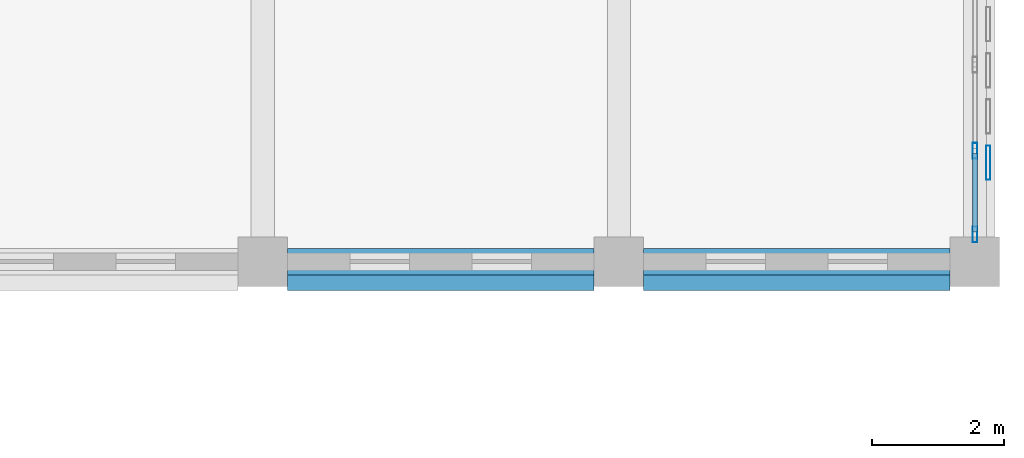
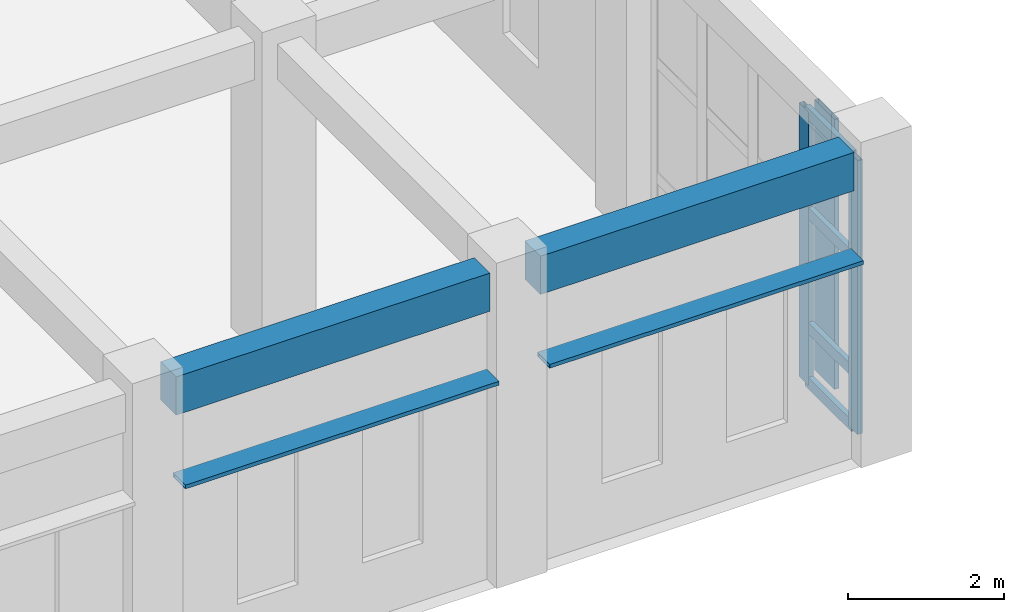
# One storey, part 38 of 77: 9 members, 2 beams, 1 element without a shape of its own.
"""IFC4 building model written with IfcOpenShell, lengths in metres."""

import ifcopenshell
import ifcopenshell.guid

model = None  # the IFC model being written
_history = None  # IfcOwnerHistory: only IFC2X3 demands one
_inside = {}  # id of a spatial element -> (the spatial element, [elements in it])
_under = {}  # id of a project, library or spatial element -> (it, [spatial elements below it])
_declared = {}  # id of a project -> (the project, [libraries it declares])
_typed = {}  # id of a type object -> (the type object, [elements of that type])
_made_of = {}  # id of a material, layer set ... -> (it, [elements and type objects made of it])


def new_model(schema):
    """Start an empty IFC model of exactly this schema.

    Asked for "IFC4X3", IfcOpenShell would pick the latest addendum, in which some entities
    have other attributes; the version numbers below select the first issue.
    IFC2X3 requires an IfcOwnerHistory on every rooted entity: one is made here for all.
    """
    global model, _history
    if schema == "IFC4X3":
        model = ifcopenshell.file(schema_version=(4, 3, 0, 0))
    else:
        model = ifcopenshell.file(schema=schema)
    _inside.clear()
    _under.clear()
    _declared.clear()
    _typed.clear()
    _made_of.clear()
    _history = None
    if model.schema == "IFC2X3":
        org = make("IfcOrganization", Name="unknown")
        user = make(
            "IfcPersonAndOrganization",
            ThePerson=make("IfcPerson", FamilyName="unknown"),
            TheOrganization=org,
        )
        app = make(
            "IfcApplication",
            ApplicationDeveloper=org,
            Version="unknown",
            ApplicationFullName="unknown",
            ApplicationIdentifier="unknown",
        )
        _history = make(
            "IfcOwnerHistory",
            OwningUser=user,
            OwningApplication=app,
            ChangeAction="ADDED",
            CreationDate=0,
        )
    return model


def make(cls, **values):
    """One entity of the class cls with the attributes given. An attribute that is None is left unset."""
    return model.create_entity(
        cls, **{name: value for name, value in values.items() if value is not None}
    )


def rooted(cls, **values):
    """An entity with a GlobalId (a new one), such as an element, a storey or a relation."""
    return make(cls, GlobalId=ifcopenshell.guid.new(), OwnerHistory=_history, **values)


def si_unit(unit_type, name, prefix=None):
    """IfcSIUnit, for example si_unit("LENGTHUNIT", "METRE", prefix="MILLI")."""
    return make("IfcSIUnit", UnitType=unit_type, Prefix=prefix, Name=name)


def assignment(units):
    """IfcUnitAssignment: the units of a project."""
    return None if units is None else make("IfcUnitAssignment", Units=units)


def point(xyz):
    """IfcCartesianPoint."""
    return None if xyz is None else make("IfcCartesianPoint", Coordinates=xyz)


def direction(xyz):
    """IfcDirection."""
    return None if xyz is None else make("IfcDirection", DirectionRatios=xyz)


def frame(location, z_axis=None, x_axis=None):
    """IfcAxis2Placement3D, a coordinate frame: its origin and axes. An axis left out is left unset."""
    return make(
        "IfcAxis2Placement3D",
        Location=point(location),
        Axis=direction(z_axis),
        RefDirection=direction(x_axis),
    )


def frame_2d(location, x_axis=None):
    """IfcAxis2Placement2D, a coordinate frame in the plane: its origin and x axis."""
    return make(
        "IfcAxis2Placement2D", Location=point(location), RefDirection=direction(x_axis)
    )


def origin():
    """The frame at (0, 0, 0) with its axes left unset."""
    return frame((0.0, 0.0, 0.0))


def origin_2d():
    """The frame at (0, 0) in the plane with its x axis left unset."""
    return frame_2d((0.0, 0.0))


def place(relative_to, where):
    """IfcLocalPlacement: puts the frame where relative to a parent placement (None: the world)."""
    return make(
        "IfcLocalPlacement", PlacementRelTo=relative_to, RelativePlacement=where
    )


def context(
    kind, dimensions, precision=None, world=None, true_north=None, identifier=None
):
    """IfcGeometricRepresentationContext, for example the 3D "Model" context."""
    return make(
        "IfcGeometricRepresentationContext",
        ContextIdentifier=identifier,
        ContextType=kind,
        CoordinateSpaceDimension=dimensions,
        Precision=precision,
        WorldCoordinateSystem=world,
        TrueNorth=true_north,
    )


def subcontext(parent, identifier, kind, view, scale=None):
    """IfcGeometricRepresentationSubContext, for example "Body" below "Model"."""
    return make(
        "IfcGeometricRepresentationSubContext",
        ContextIdentifier=identifier,
        ContextType=kind,
        ParentContext=parent,
        TargetScale=scale,
        TargetView=view,
    )


def project(units=None, contexts=None):
    """IfcProject with its units and contexts."""
    return rooted(
        "IfcProject",
        Name="project",
        RepresentationContexts=contexts,
        UnitsInContext=assignment(units),
    )


def spatial(cls, under=None, at=None, **own):
    """A site, building, storey or space (cls), placed at a placement, below another one or the project."""
    s = rooted(cls, ObjectPlacement=at, **own)
    if under is not None:
        _under.setdefault(under.id(), (under, []))[1].append(s)
    return s


def profile(cls, at=None, kind="AREA", **sizes):
    """A parametric profile (cls). Its sizes go by their IFC names, for example OverallWidth=200.0."""
    return make(cls, ProfileType=kind, Position=at, **sizes)


def rectangle(**sizes):
    """IfcRectangleProfileDef."""
    return profile("IfcRectangleProfileDef", **sizes)


def hollow_rectangle(**sizes):
    """IfcRectangleHollowProfileDef."""
    return profile("IfcRectangleHollowProfileDef", **sizes)


def extrude(swept, where, along, depth):
    """IfcExtrudedAreaSolid: the profile swept, set in the frame where, extruded along a direction by depth."""
    return make(
        "IfcExtrudedAreaSolid",
        SweptArea=swept,
        Position=where,
        ExtrudedDirection=direction(along),
        Depth=depth,
    )


def shape(context_of_items, identifier, shape_type, items):
    """IfcShapeRepresentation: the items that make up one representation, for example the "Body"."""
    return make(
        "IfcShapeRepresentation",
        ContextOfItems=context_of_items,
        RepresentationIdentifier=identifier,
        RepresentationType=shape_type,
        Items=items,
    )


def material(Name=None, Category=None):
    """IfcMaterial."""
    return make("IfcMaterial", Name=Name, Category=Category)


def layer(
    of_material, thickness, ventilated=None, Name=None, Category=None, Priority=None
):
    """IfcMaterialLayer: one layer of a wall or slab, of a material (None: an air gap)."""
    return make(
        "IfcMaterialLayer",
        Material=of_material,
        LayerThickness=thickness,
        IsVentilated=ventilated,
        Name=Name,
        Category=Category,
        Priority=Priority,
    )


def layer_set(layers, Name=None):
    """IfcMaterialLayerSet."""
    return make("IfcMaterialLayerSet", MaterialLayers=layers, LayerSetName=Name)


def material_profile(
    of_material, cross_section, Name=None, Category=None, Priority=None
):
    """IfcMaterialProfile: a cross section and its material."""
    return make(
        "IfcMaterialProfile",
        Name=Name,
        Material=of_material,
        Profile=cross_section,
        Priority=Priority,
        Category=Category,
    )


def profile_set(profiles, Name=None, composite=None):
    """IfcMaterialProfileSet."""
    return make(
        "IfcMaterialProfileSet",
        Name=Name,
        MaterialProfiles=profiles,
        CompositeProfile=composite,
    )


def made_of(thing, what):
    """Note that an element or type object is made of a material, layer set ...; save() writes the relation."""
    if what is not None:
        _made_of.setdefault(what.id(), (what, []))[1].append(thing)
    return thing


def type_object(cls, material=None, **own):
    """A type object (cls), such as IfcWallType, which elements share."""
    return made_of(rooted(cls, **own), material)


def element(
    cls,
    number,
    at=None,
    inside=None,
    cuts=None,
    type_object=None,
    material=None,
    context=None,
    identifier="Body",
    shape_type=None,
    held_by="IfcProductDefinitionShape",
    body=None,
    shapes=None,
    **own,
):
    """One element of the class cls, such as IfcWall. Its Tag is "e" and its number.

    at: its placement. inside: the storey or other place that contains it. cuts: it is an
    opening in that element (IfcRelVoidsElement). A single representation is given by context,
    identifier, shape_type and body (its items); several are given by shapes. held_by: the class
    of the entity that holds the representations. save() writes the other relations.
    """
    e = rooted(cls, Tag="e%d" % number, ObjectPlacement=at, **own)
    if body is not None:
        shapes = [shape(context, identifier, shape_type, body)]
    if shapes is not None:
        e.Representation = make(held_by, Representations=shapes)
    if inside is not None:
        _inside.setdefault(inside.id(), (inside, []))[1].append(e)
    if cuts is not None:
        rooted(
            "IfcRelVoidsElement", RelatingBuildingElement=cuts, RelatedOpeningElement=e
        )
    if type_object is not None:
        _typed.setdefault(type_object.id(), (type_object, []))[1].append(e)
    return made_of(e, material)


def aggregate(whole, parts):
    """IfcRelAggregates: a whole, such as a stair, and the parts it consists of."""
    return rooted("IfcRelAggregates", RelatingObject=whole, RelatedObjects=parts)


def save(model, path):
    """Write the relations noted so far, then the file.

    IfcRelAggregates (storeys below a building ...), IfcRelContainedInSpatialStructure (elements
    in a storey), IfcRelDefinesByType, IfcRelAssociatesMaterial and IfcRelDeclares: one each for
    every whole, place, type object, material and project.
    """
    for whole, parts in _under.values():
        aggregate(whole, parts)
    for where, things in _inside.values():
        rooted(
            "IfcRelContainedInSpatialStructure",
            RelatedElements=things,
            RelatingStructure=where,
        )
    for kind, things in _typed.values():
        rooted("IfcRelDefinesByType", RelatedObjects=things, RelatingType=kind)
    for what, things in _made_of.values():
        rooted("IfcRelAssociatesMaterial", RelatedObjects=things, RelatingMaterial=what)
    for by, libraries in _declared.values():
        rooted("IfcRelDeclares", RelatingContext=by, RelatedDefinitions=libraries)
    model.write(path)


model = new_model("IFC4")

# Units and contexts
model_context = context("Model", 3, precision=1e-05, world=origin(), true_north=direction((0.0, 1.0)))
body_context = subcontext(model_context, "Body", "Model", "MODEL_VIEW")
ifc_project = project(units=[si_unit("LENGTHUNIT", "METRE"), si_unit("AREAUNIT", "SQUARE_METRE"), si_unit("VOLUMEUNIT", "CUBIC_METRE"), si_unit("PLANEANGLEUNIT", "RADIAN"), si_unit("MASSUNIT", "GRAM", prefix="KILO")], contexts=[model_context])

# Site, building, storey
site_placement = place(None, origin())
site = spatial("IfcSite", under=ifc_project, at=site_placement, CompositionType="ELEMENT")
building_placement = place(site_placement, origin())
building = spatial("IfcBuilding", under=site, at=building_placement, Name="Krzemoval Escarpment Law Courts", CompositionType="ELEMENT")
storey_placement = place(building_placement, frame((0.0, 0.0, 15.300048828125)))
storey = spatial("IfcBuildingStorey", under=building, at=storey_placement, Name="L03", CompositionType="ELEMENT", Elevation=15.300048828125)

# Beams
ifc_material_1 = material(Name="Concrete C40/50", Category="concrete")
ifc_material_profile_1 = material_profile(ifc_material_1, rectangle(XDim=0.39990234375, YDim=0.60009765625, at=origin_2d()), Name="RCB 400x600")
ifc_profile_set_1 = profile_set([ifc_material_profile_1], Name="Concrete C40/50")
beam_type = type_object("IfcBeamType", Name="BM-RC-400x600", PredefinedType="BEAM", material=ifc_profile_set_1)
beam_1_placement = place(storey_placement, frame((162.375, 93.60009765625, 4.5400390625), z_axis=(1.0, 0.0, 0.0), x_axis=(0.0, 1.0, 0.0)))
element("IfcBeam", 1, at=beam_1_placement, inside=storey, type_object=beam_type, Name="Beam FG-L03-2187", PredefinedType="BEAM", context=body_context, shape_type="SweptSolid", body=[
    extrude(rectangle(XDim=0.39990234375, YDim=0.60009765625, at=origin_2d()), origin(), (0.0, 0.0, 1.0), 4.64990234375),
])
beam_2_placement = place(storey_placement, frame((167.77490234375, 93.60009765625, 4.5400390625), z_axis=(1.0, 0.0, 0.0), x_axis=(0.0, 1.0, 0.0)))
element("IfcBeam", 2, at=beam_2_placement, inside=storey, type_object=beam_type, Name="Beam FG-L03-2188", PredefinedType="BEAM", context=body_context, shape_type="SweptSolid", body=[
    extrude(rectangle(XDim=0.39990234375, YDim=0.60009765625, at=origin_2d()), origin(), (0.0, 0.0, 1.0), 4.650146484375),
])

# Curtain wall, members
ifc_material_2 = material(Name="Aluminium 6063-T6", Category="aluminium")
ifc_layer = layer(ifc_material_2, 0.239990234375)
ifc_layer_set = layer_set([ifc_layer], Name="Aluminium 6063-T6")
curtain_wall_type = type_object("IfcCurtainWallType", Name="CW-CHMB-4800", PredefinedType="USERDEFINED", material=ifc_layer_set)
curtain_wall_placement = place(storey_placement, origin())
curtain_wall = element("IfcCurtainWall", 3, at=curtain_wall_placement, inside=storey, type_object=curtain_wall_type, Name="Unitised Curtain Wall FCW-L03-120", ObjectType="UNITISED_CURTAIN_WALL", PredefinedType="USERDEFINED")
ifc_material_3 = material(Name="Aluminium 6063-T6", Category="aluminium")
ifc_material_profile_2 = material_profile(ifc_material_3, hollow_rectangle(XDim=0.074951171875, YDim=0.239990234375, WallThickness=0.0048828125, at=origin_2d()), Name="ALU M75x240")
ifc_profile_set_2 = profile_set([ifc_material_profile_2], Name="Aluminium 6063-T6")
member_type_1 = type_object("IfcMemberType", Name="CWM-75x240", PredefinedType="MULLION", material=ifc_profile_set_2)
member_1_placement = place(storey_placement, frame((172.800048828125, 95.28125, 0.0), z_axis=(0.0, 0.0, 1.0), x_axis=(1.0, 0.0, 0.0)))
member_1 = element("IfcMember", 4, at=member_1_placement, type_object=member_type_1, Name="FCW-L03-120 mullion 4", PredefinedType="MULLION", context=body_context, shape_type="SweptSolid", body=[
    extrude(hollow_rectangle(XDim=0.074951171875, YDim=0.239990234375, WallThickness=0.0048828125, at=origin_2d()), origin(), (0.0, 0.0, 1.0), 4.2900390625),
])
member_2_placement = place(storey_placement, frame((172.800048828125, 94.012451171875, 0.0), z_axis=(0.0, 0.0, 1.0), x_axis=(1.0, 0.0, 0.0)))
member_2 = element("IfcMember", 5, at=member_2_placement, type_object=member_type_1, Name="FCW-L03-120 mullion 5", PredefinedType="MULLION", context=body_context, shape_type="SweptSolid", body=[
    extrude(hollow_rectangle(XDim=0.074951171875, YDim=0.239990234375, WallThickness=0.0048828125, at=origin_2d()), origin(), (0.0, 0.0, 1.0), 4.2900390625),
])
ifc_material_4 = material(Name="Aluminium 6063-T6", Category="aluminium")
ifc_material_profile_3 = material_profile(ifc_material_4, hollow_rectangle(XDim=0.074951171875, YDim=0.179931640625, WallThickness=0.0048828125, at=origin_2d()), Name="ALU T75x180")
ifc_profile_set_3 = profile_set([ifc_material_profile_3], Name="Aluminium 6063-T6")
member_type_2 = type_object("IfcMemberType", Name="CWT-75x180", PredefinedType="USERDEFINED", material=ifc_profile_set_3)
member_3_placement = place(storey_placement, frame((172.800048828125, 95.24365234375, 0.037353515625), z_axis=(0.0, -1.0, 0.0), x_axis=(1.0, 0.0, 0.0)))
member_3 = element("IfcMember", 6, at=member_3_placement, type_object=member_type_2, Name="FCW-L03-120 transom 4.1", ObjectType="TRANSOM", PredefinedType="USERDEFINED", context=body_context, shape_type="SweptSolid", body=[
    extrude(hollow_rectangle(XDim=0.074951171875, YDim=0.179931640625, WallThickness=0.0048828125, at=origin_2d()), origin(), (0.0, 0.0, 1.0), 1.193603515625),
])
member_4_placement = place(storey_placement, frame((172.800048828125, 95.24365234375, 0.89990234375), z_axis=(0.0, -1.0, 0.0), x_axis=(1.0, 0.0, 0.0)))
member_4 = element("IfcMember", 7, at=member_4_placement, type_object=member_type_2, Name="FCW-L03-120 transom 4.2", ObjectType="TRANSOM", PredefinedType="USERDEFINED", context=body_context, shape_type="SweptSolid", body=[
    extrude(hollow_rectangle(XDim=0.074951171875, YDim=0.179931640625, WallThickness=0.0048828125, at=origin_2d()), origin(), (0.0, 0.0, 1.0), 1.193603515625),
])
member_5_placement = place(storey_placement, frame((172.800048828125, 95.24365234375, 2.699951171875), z_axis=(0.0, -1.0, 0.0), x_axis=(1.0, 0.0, 0.0)))
member_5 = element("IfcMember", 8, at=member_5_placement, type_object=member_type_2, Name="FCW-L03-120 transom 4.3", ObjectType="TRANSOM", PredefinedType="USERDEFINED", context=body_context, shape_type="SweptSolid", body=[
    extrude(hollow_rectangle(XDim=0.074951171875, YDim=0.179931640625, WallThickness=0.0048828125, at=origin_2d()), origin(), (0.0, 0.0, 1.0), 1.193603515625),
])
member_6_placement = place(storey_placement, frame((172.800048828125, 95.24365234375, 4.25244140625), z_axis=(0.0, -1.0, 0.0), x_axis=(1.0, 0.0, 0.0)))
member_6 = element("IfcMember", 9, at=member_6_placement, type_object=member_type_2, Name="FCW-L03-120 transom 4.4", ObjectType="TRANSOM", PredefinedType="USERDEFINED", context=body_context, shape_type="SweptSolid", body=[
    extrude(hollow_rectangle(XDim=0.074951171875, YDim=0.179931640625, WallThickness=0.0048828125, at=origin_2d()), origin(), (0.0, 0.0, 1.0), 1.193603515625),
])
aggregate(curtain_wall, [member_1, member_2, member_3, member_4, member_5, member_6])

# Members
ifc_material_5 = material(Name="Anodised Aluminium Alloy 6063-T6", Category="aluminium")
ifc_material_profile_4 = material_profile(ifc_material_5, hollow_rectangle(XDim=0.06005859375, YDim=0.320068359375, WallThickness=0.00390625, at=origin_2d()), Name="ALU LVR 60x320")
ifc_profile_set_4 = profile_set([ifc_material_profile_4], Name="Anodised Aluminium Alloy 6063-T6")
member_type_3 = type_object("IfcMemberType", Name="LVR-ALU-320", PredefinedType="USERDEFINED", material=ifc_profile_set_4)
member_7_placement = place(storey_placement, frame((172.425048828125, 93.320068359375, 3.260009765625), z_axis=(-1.0, 0.0, 0.0), x_axis=(0.0, 0.0, 1.0)))
element("IfcMember", 10, at=member_7_placement, inside=storey, type_object=member_type_3, Name="Window Sunshade Louvre FLV-L03-0799", ObjectType="SUNSHADE_LOUVRE", PredefinedType="USERDEFINED", context=body_context, shape_type="SweptSolid", body=[
    extrude(hollow_rectangle(XDim=0.06005859375, YDim=0.320068359375, WallThickness=0.00390625, at=origin_2d()), origin(), (0.0, 0.0, 1.0), 4.650146484375),
])
member_8_placement = place(storey_placement, frame((167.02490234375, 93.320068359375, 3.260009765625), z_axis=(-1.0, 0.0, 0.0), x_axis=(0.0, 0.0, 1.0)))
element("IfcMember", 11, at=member_8_placement, inside=storey, type_object=member_type_3, Name="Window Sunshade Louvre FLV-L03-0800", ObjectType="SUNSHADE_LOUVRE", PredefinedType="USERDEFINED", context=body_context, shape_type="SweptSolid", body=[
    extrude(hollow_rectangle(XDim=0.06005859375, YDim=0.320068359375, WallThickness=0.00390625, at=origin_2d()), origin(), (0.0, 0.0, 1.0), 4.64990234375),
])
ifc_material_6 = material(Name="Anodised Aluminium Alloy 6063-T6", Category="aluminium")
ifc_material_profile_5 = material_profile(ifc_material_6, hollow_rectangle(XDim=0.06494140625, YDim=0.52001953125, WallThickness=0.00439453125, at=origin_2d()), Name="ALU LVR 65x520")
ifc_profile_set_5 = profile_set([ifc_material_profile_5], Name="Anodised Aluminium Alloy 6063-T6")
member_type_4 = type_object("IfcMemberType", Name="LVR-ALU-520", PredefinedType="USERDEFINED", material=ifc_profile_set_5)
member_9_placement = place(storey_placement, frame((173.0, 95.10009765625, 0.06005859375), z_axis=(0.0, 0.0, 1.0), x_axis=(1.0, 0.0, 0.0)))
element("IfcMember", 12, at=member_9_placement, inside=storey, type_object=member_type_4, Name="Sunshade Louvre Fin FLV-L03-0798", ObjectType="SUNSHADE_LOUVRE", PredefinedType="USERDEFINED", context=body_context, shape_type="SweptSolid", body=[
    extrude(hollow_rectangle(XDim=0.06494140625, YDim=0.52001953125, WallThickness=0.00439453125, at=origin_2d()), origin(), (0.0, 0.0, 1.0), 4.22998046875),
])

save(model, "model.ifc")
